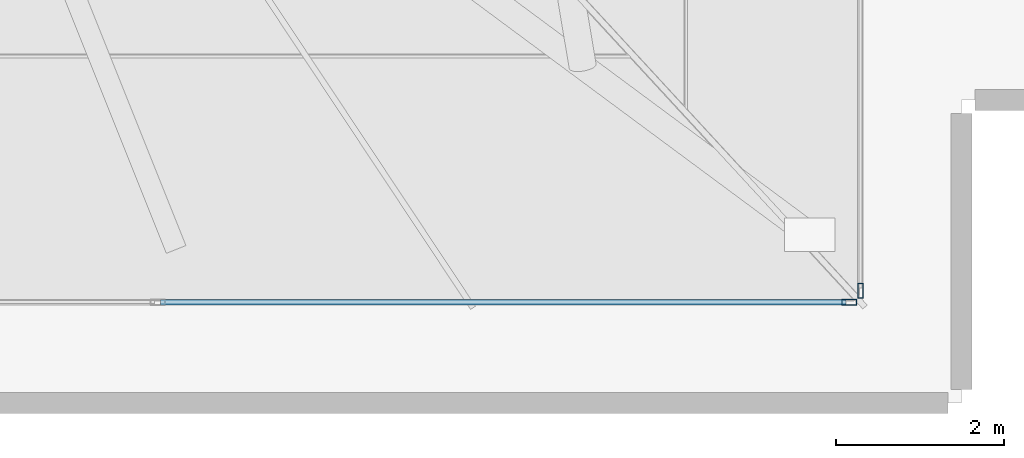
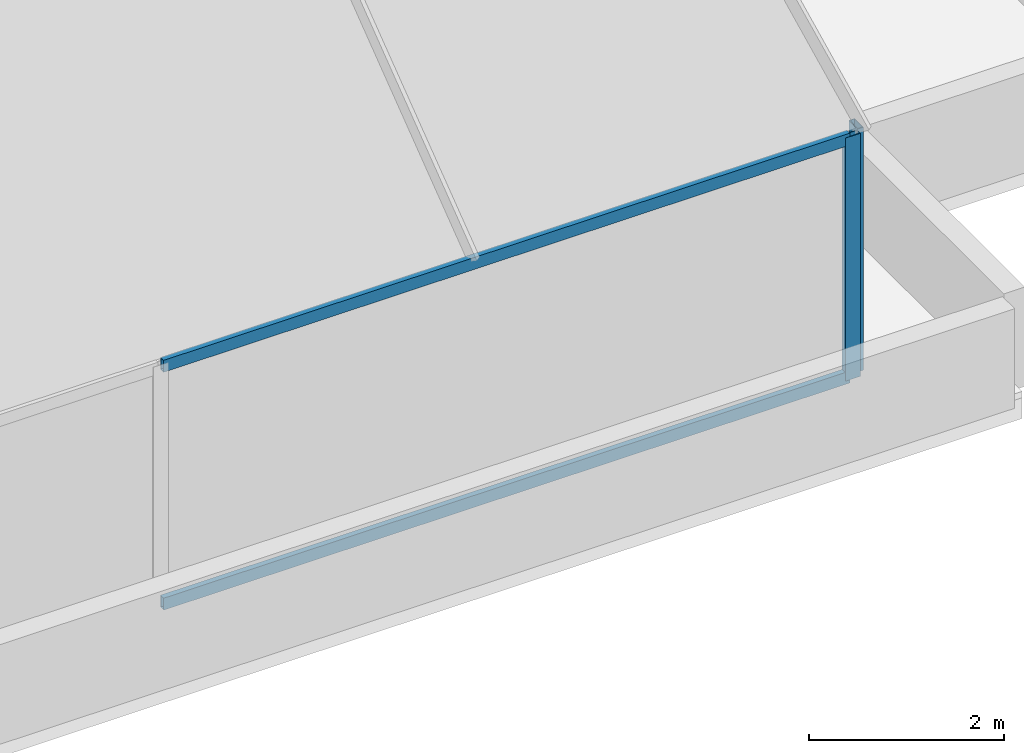
# One storey, part 13 of 32: 4 members, 2 elements without a shape of their own.
"""IFC4 building model written with IfcOpenShell, lengths in metres."""

from ifc_helpers import new_model, si_unit, direction, frame, origin, origin_2d, place, context, subcontext, project, spatial, hollow_rectangle, extrude, source, transform, mapped, material, layer, layer_set, material_profile, profile_set, type_object, element, aggregate, save


model = new_model("IFC4")

# Units and contexts
model_context = context("Model", 3, precision=1e-05, world=origin(), true_north=direction((0.0, 1.0)))
body_context = subcontext(model_context, "Body", "Model", "MODEL_VIEW")
ifc_project = project(units=[si_unit("LENGTHUNIT", "METRE"), si_unit("AREAUNIT", "SQUARE_METRE"), si_unit("VOLUMEUNIT", "CUBIC_METRE"), si_unit("PLANEANGLEUNIT", "RADIAN"), si_unit("MASSUNIT", "GRAM", prefix="KILO")], contexts=[model_context])

# Site, building, storey
site_placement = place(None, origin())
site = spatial("IfcSite", under=ifc_project, at=site_placement, CompositionType="ELEMENT")
building_placement = place(site_placement, origin())
building = spatial("IfcBuilding", under=site, at=building_placement, Name="Sumidabori Civic Tower", CompositionType="ELEMENT")
storey_placement = place(building_placement, frame((0.0, 0.0, 298.199951171875)))
storey = spatial("IfcBuildingStorey", under=building, at=storey_placement, Name="RF Roof Crown", CompositionType="ELEMENT", Elevation=298.199951171875)

# Curtain wall, member
ifc_material = material(Name="Anodised Bronze Aluminium AW-6063-T6", Category="aluminium")
ifc_layer = layer(ifc_material, 0.179931640625, Name="Anodised Bronze Aluminium AW-6063-T6")
ifc_layer_set = layer_set([ifc_layer], Name="Anodised Bronze Aluminium AW-6063-T6")
curtain_wall_type = type_object("IfcCurtainWallType", Name="CW-SYS-6", PredefinedType="NOTDEFINED", material=ifc_layer_set)
curtain_wall_1_placement = place(storey_placement, origin())
curtain_wall_1 = element("IfcCurtainWall", 1, at=curtain_wall_1_placement, inside=storey, type_object=curtain_wall_type, Name="Glass-Point Crown South Prow Curtain Wall", PredefinedType="NOTDEFINED")
ifc_material_profile_1 = material_profile(ifc_material, hollow_rectangle(XDim=0.070068359375, YDim=0.179931640625, WallThickness=0.006103515625, at=origin_2d()), Name="ALU MULLION 180x70")
ifc_profile_set_1 = profile_set([ifc_material_profile_1], Name="Anodised Bronze Aluminium AW-6063-T6")
member_type_1 = type_object("IfcMemberType", Name="CW-MUL-180", PredefinedType="MULLION", material=ifc_profile_set_1)
shared_shape_1 = source(origin(), body_context, "Body", "SweptSolid", [
    extrude(hollow_rectangle(XDim=0.070068359375, YDim=0.179931640625, WallThickness=0.006103515625, at=origin_2d()), origin(), (0.0, 0.0, 1.0), 3.050048828125),
])
member_1_placement = place(storey_placement, frame((16.465087890625, -10.800048828125, 0.0), z_axis=(0.0, 0.0, 1.0), x_axis=(0.0, 1.0, 0.0)))
member_1 = element("IfcMember", 2, at=member_1_placement, type_object=member_type_1, Name="CW-6 mullion 5", PredefinedType="MULLION", context=body_context, shape_type="MappedRepresentation", body=[
    mapped(shared_shape_1, transform((0.0, 0.0, 0.0), x_axis=(1.0, 0.0, 0.0), y_axis=(0.0, 1.0, 0.0), z_axis=(0.0, 0.0, 1.0), scale=1.0)),
])

curtain_wall_2_placement = place(storey_placement, origin())
curtain_wall_2 = element("IfcCurtainWall", 3, at=curtain_wall_2_placement, inside=storey, type_object=curtain_wall_type, Name="Glass-Point Crown East Cheek Curtain Wall", PredefinedType="NOTDEFINED")
member_2_placement = place(storey_placement, frame((16.60009765625, -10.6650390625, 0.0), z_axis=(0.0, 0.0, 1.0), x_axis=(-1.0, 0.0, 0.0)))
member_2 = element("IfcMember", 4, at=member_2_placement, type_object=member_type_1, Name="CW-6 mullion 1", PredefinedType="MULLION", context=body_context, shape_type="MappedRepresentation", body=[
    mapped(shared_shape_1, transform((0.0, 0.0, 0.0), x_axis=(1.0, 0.0, 0.0), y_axis=(0.0, 1.0, 0.0), z_axis=(0.0, 0.0, 1.0), scale=1.0)),
])
aggregate(curtain_wall_2, [member_2])

# Member
ifc_material_profile_2 = material_profile(ifc_material, hollow_rectangle(XDim=0.06494140625, YDim=0.14990234375, WallThickness=0.0048828125, at=origin_2d()), Name="ALU TRANSOM 150x65")
ifc_profile_set_2 = profile_set([ifc_material_profile_2], Name="Anodised Bronze Aluminium AW-6063-T6")
member_type_2 = type_object("IfcMemberType", Name="CW-TRN-150", PredefinedType="USERDEFINED", material=ifc_profile_set_2)
shared_shape_2 = source(origin(), body_context, "Body", "SweptSolid", [
    extrude(hollow_rectangle(XDim=0.06494140625, YDim=0.14990234375, WallThickness=0.0048828125, at=origin_2d()), origin(), (0.0, 0.0, 1.0), 8.14501953125),
])
member_3_placement = place(storey_placement, frame((8.284912109375, -10.800048828125, 0.032470703125), z_axis=(1.0, 0.0, 0.0), x_axis=(0.0, 1.0, 0.0)))
member_3 = element("IfcMember", 5, at=member_3_placement, type_object=member_type_2, Name="CW-6 transom 4.1", ObjectType="TRANSOM", PredefinedType="USERDEFINED", context=body_context, shape_type="MappedRepresentation", body=[
    mapped(shared_shape_2, transform((0.0, 0.0, 0.0), x_axis=(1.0, 0.0, 0.0), y_axis=(0.0, 1.0, 0.0), z_axis=(0.0, 0.0, 1.0), scale=1.0)),
])

member_4_placement = place(storey_placement, frame((8.284912109375, -10.800048828125, 3.017578125), z_axis=(1.0, 0.0, 0.0), x_axis=(0.0, 1.0, 0.0)))
member_4 = element("IfcMember", 6, at=member_4_placement, type_object=member_type_2, Name="CW-6 transom 4.2", ObjectType="TRANSOM", PredefinedType="USERDEFINED", context=body_context, shape_type="MappedRepresentation", body=[
    mapped(shared_shape_2, transform((0.0, 0.0, 0.0), x_axis=(1.0, 0.0, 0.0), y_axis=(0.0, 1.0, 0.0), z_axis=(0.0, 0.0, 1.0), scale=1.0)),
])

aggregate(curtain_wall_1, [member_1, member_3, member_4])

save(model, "model.ifc")
